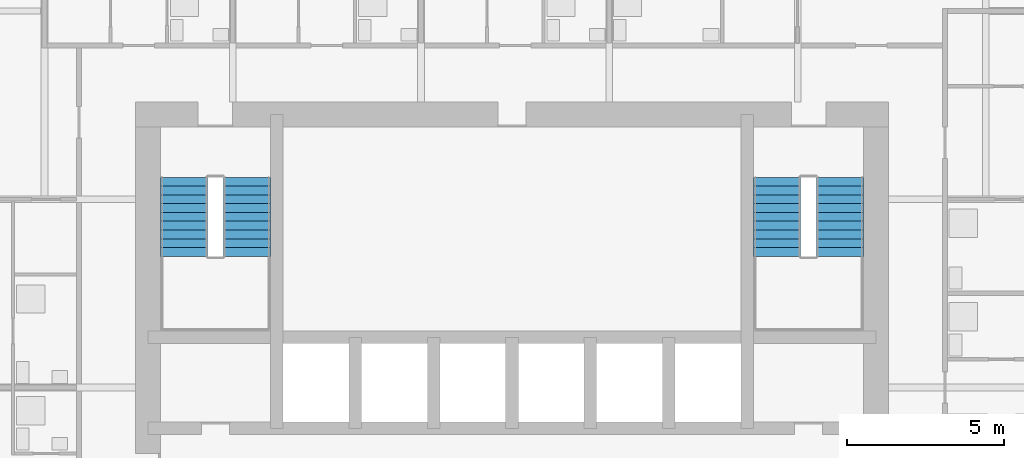
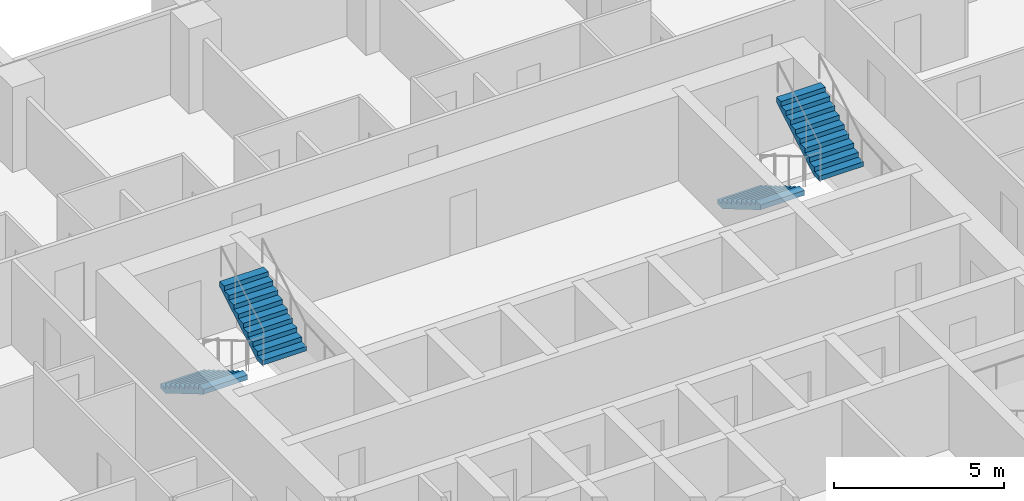
# One storey, part 9 of 11: 4 stair flights, 2 elements without a shape of their own.
"""IFC4 building model written with IfcOpenShell, lengths in metres."""

from ifc_helpers import new_model, si_unit, direction, frame, origin, place, context, subcontext, project, spatial, polyline, outline, extrude, material, type_object, element, aggregate, save


model = new_model("IFC4")

# Units and contexts
model_context = context("Model", 3, precision=1e-05, world=origin(), true_north=direction((0.0, 1.0)))
body_context = subcontext(model_context, "Body", "Model", "MODEL_VIEW")
ifc_project = project(units=[si_unit("LENGTHUNIT", "METRE"), si_unit("AREAUNIT", "SQUARE_METRE"), si_unit("VOLUMEUNIT", "CUBIC_METRE"), si_unit("PLANEANGLEUNIT", "RADIAN"), si_unit("MASSUNIT", "GRAM", prefix="KILO")], contexts=[model_context])

# Site, building, storey
site_placement = place(None, origin())
site = spatial("IfcSite", under=ifc_project, at=site_placement, CompositionType="ELEMENT")
building_placement = place(site_placement, origin())
building = spatial("IfcBuilding", under=site, at=building_placement, Name="Amberfall Residences", CompositionType="ELEMENT")
storey_placement = place(building_placement, frame((0.0, 0.0, 91.89990234375)))
storey = spatial("IfcBuildingStorey", under=building, at=storey_placement, Name="L24", CompositionType="ELEMENT", Elevation=91.89990234375)

# Stair, stair flights
ifc_material = material(Name="Concrete C40", Category="concrete")
stair_type = type_object("IfcStairType", Name="Exit stair 20 risers 165.0 mm", PredefinedType="HALF_TURN_STAIR", material=ifc_material)
stair_1_placement = place(storey_placement, origin())
stair_1 = element("IfcStair", 1, at=stair_1_placement, inside=storey, type_object=stair_type, Name="L24 Exit stair 3", PredefinedType="HALF_TURN_STAIR")
stair_flight_type = type_object("IfcStairFlightType", Name="Stair flight 10 risers 165.0 mm", PredefinedType="STRAIGHT", material=ifc_material)
stair_flight_1_placement = place(storey_placement, frame((82.949951171875, 55.10009765625, 0.0), z_axis=(0.0, 0.0, 1.0), x_axis=(0.0, -1.0, 0.0)))
stair_flight_1 = element("IfcStairFlight", 2, at=stair_flight_1_placement, type_object=stair_flight_type, Name="ST3 flight 1", NumberOfRisers=10, NumberOfTreads=9, PredefinedType="STRAIGHT", RiserHeight=0.165, TreadLength=0.28, context=body_context, shape_type="SweptSolid", body=[
    extrude(outline(polyline([(0.0, 0.0), (0.0, 0.1650390625), (0.280029296875, 0.1650390625), (0.280029296875, 0.330078125), (0.56005859375, 0.330078125), (0.56005859375, 0.4951171875), (0.840087890625, 0.4951171875), (0.840087890625, 0.659912109375), (1.1201171875, 0.659912109375), (1.1201171875, 0.824951171875), (1.39990234375, 0.824951171875), (1.39990234375, 0.989990234375), (1.679931640625, 0.989990234375), (1.679931640625, 1.155029296875), (1.9599609375, 1.155029296875), (1.9599609375, 1.320068359375), (2.239990234375, 1.320068359375), (2.239990234375, 1.485107421875), (2.52001953125, 1.485107421875), (2.52001953125, 1.64990234375), (2.52001953125, 1.31103515625), (0.295166015625, 0.0), (0.0, 0.0)])), frame((0.0, 0.75, 0.0), z_axis=(0.0, -1.0, 0.0), x_axis=(1.0, 0.0, 0.0)), (0.0, 0.0, 1.0), 1.5),
])
stair_flight_2_placement = place(storey_placement, frame((84.949951171875, 52.580078125, 1.650146484375), z_axis=(0.0, 0.0, 1.0), x_axis=(0.0, 1.0, 0.0)))
stair_flight_2 = element("IfcStairFlight", 3, at=stair_flight_2_placement, type_object=stair_flight_type, Name="ST3 flight 2", NumberOfRisers=10, NumberOfTreads=9, PredefinedType="STRAIGHT", RiserHeight=0.165, TreadLength=0.28, context=body_context, shape_type="SweptSolid", body=[
    extrude(outline(polyline([(0.0, 0.0), (0.0, 0.1650390625), (0.280029296875, 0.1650390625), (0.280029296875, 0.330078125), (0.56005859375, 0.330078125), (0.56005859375, 0.4951171875), (0.840087890625, 0.4951171875), (0.840087890625, 0.659912109375), (1.1201171875, 0.659912109375), (1.1201171875, 0.824951171875), (1.39990234375, 0.824951171875), (1.39990234375, 0.989990234375), (1.679931640625, 0.989990234375), (1.679931640625, 1.155029296875), (1.9599609375, 1.155029296875), (1.9599609375, 1.320068359375), (2.239990234375, 1.320068359375), (2.239990234375, 1.485107421875), (2.52001953125, 1.485107421875), (2.52001953125, 1.64990234375), (2.52001953125, 1.31103515625), (0.295166015625, 0.0), (0.0, 0.0)])), frame((0.0, 0.75, 0.0), z_axis=(0.0, -1.0, 0.0), x_axis=(1.0, 0.0, 0.0)), (0.0, 0.0, 1.0), 1.5),
])
aggregate(stair_1, [stair_flight_1, stair_flight_2])

stair_2_placement = place(storey_placement, origin())
stair_2 = element("IfcStair", 4, at=stair_2_placement, inside=storey, type_object=stair_type, Name="L24 Exit stair 4", PredefinedType="HALF_TURN_STAIR")
stair_flight_3_placement = place(storey_placement, frame((64.050048828125, 55.10009765625, 0.0), z_axis=(0.0, 0.0, 1.0), x_axis=(0.0, -1.0, 0.0)))
stair_flight_3 = element("IfcStairFlight", 5, at=stair_flight_3_placement, type_object=stair_flight_type, Name="ST3 flight 1", NumberOfRisers=10, NumberOfTreads=9, PredefinedType="STRAIGHT", RiserHeight=0.165, TreadLength=0.28, context=body_context, shape_type="SweptSolid", body=[
    extrude(outline(polyline([(0.0, 0.0), (0.0, 0.1650390625), (0.280029296875, 0.1650390625), (0.280029296875, 0.330078125), (0.56005859375, 0.330078125), (0.56005859375, 0.4951171875), (0.840087890625, 0.4951171875), (0.840087890625, 0.659912109375), (1.1201171875, 0.659912109375), (1.1201171875, 0.824951171875), (1.39990234375, 0.824951171875), (1.39990234375, 0.989990234375), (1.679931640625, 0.989990234375), (1.679931640625, 1.155029296875), (1.9599609375, 1.155029296875), (1.9599609375, 1.320068359375), (2.239990234375, 1.320068359375), (2.239990234375, 1.485107421875), (2.52001953125, 1.485107421875), (2.52001953125, 1.64990234375), (2.52001953125, 1.31103515625), (0.295166015625, 0.0), (0.0, 0.0)])), frame((0.0, 0.75, 0.0), z_axis=(0.0, -1.0, 0.0), x_axis=(1.0, 0.0, 0.0)), (0.0, 0.0, 1.0), 1.5),
])
stair_flight_4_placement = place(storey_placement, frame((66.050048828125, 52.580078125, 1.650146484375), z_axis=(0.0, 0.0, 1.0), x_axis=(0.0, 1.0, 0.0)))
stair_flight_4 = element("IfcStairFlight", 6, at=stair_flight_4_placement, type_object=stair_flight_type, Name="ST3 flight 2", NumberOfRisers=10, NumberOfTreads=9, PredefinedType="STRAIGHT", RiserHeight=0.165, TreadLength=0.28, context=body_context, shape_type="SweptSolid", body=[
    extrude(outline(polyline([(0.0, 0.0), (0.0, 0.1650390625), (0.280029296875, 0.1650390625), (0.280029296875, 0.330078125), (0.56005859375, 0.330078125), (0.56005859375, 0.4951171875), (0.840087890625, 0.4951171875), (0.840087890625, 0.659912109375), (1.1201171875, 0.659912109375), (1.1201171875, 0.824951171875), (1.39990234375, 0.824951171875), (1.39990234375, 0.989990234375), (1.679931640625, 0.989990234375), (1.679931640625, 1.155029296875), (1.9599609375, 1.155029296875), (1.9599609375, 1.320068359375), (2.239990234375, 1.320068359375), (2.239990234375, 1.485107421875), (2.52001953125, 1.485107421875), (2.52001953125, 1.64990234375), (2.52001953125, 1.31103515625), (0.295166015625, 0.0), (0.0, 0.0)])), frame((0.0, 0.75, 0.0), z_axis=(0.0, -1.0, 0.0), x_axis=(1.0, 0.0, 0.0)), (0.0, 0.0, 1.0), 1.5),
])
aggregate(stair_2, [stair_flight_3, stair_flight_4])

save(model, "model.ifc")
